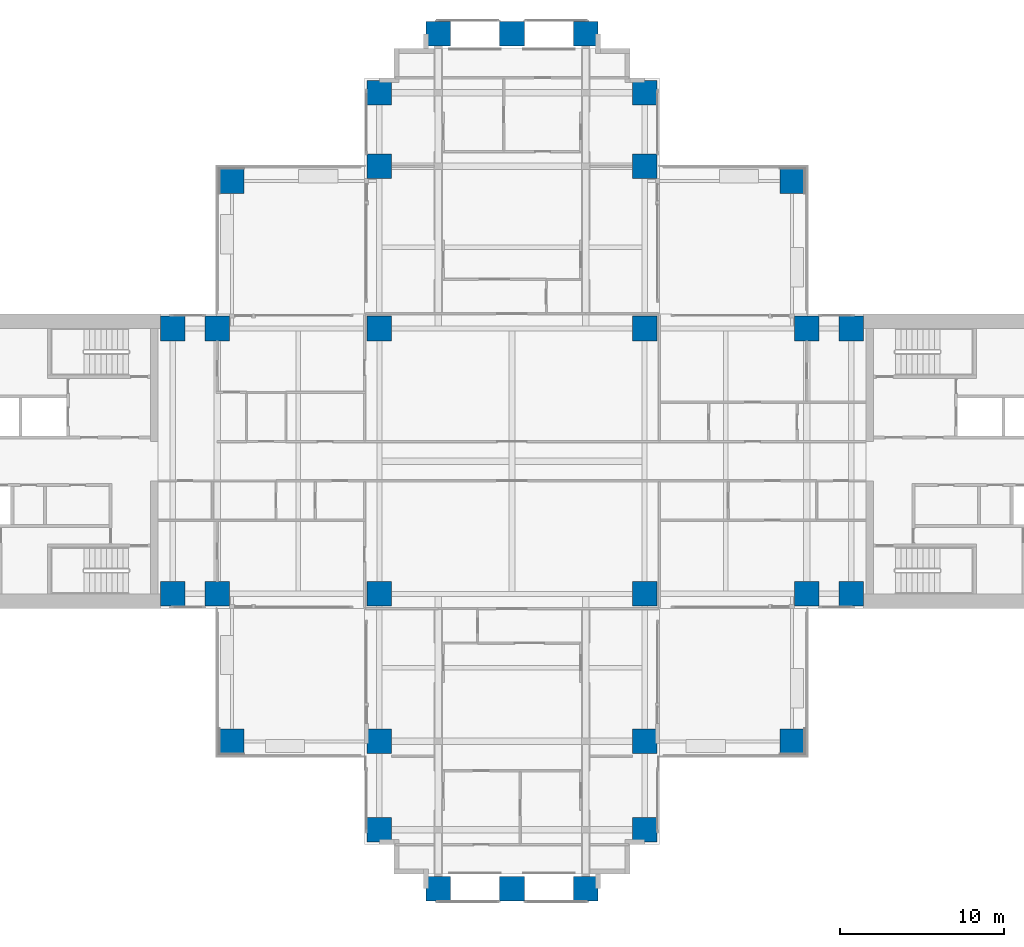
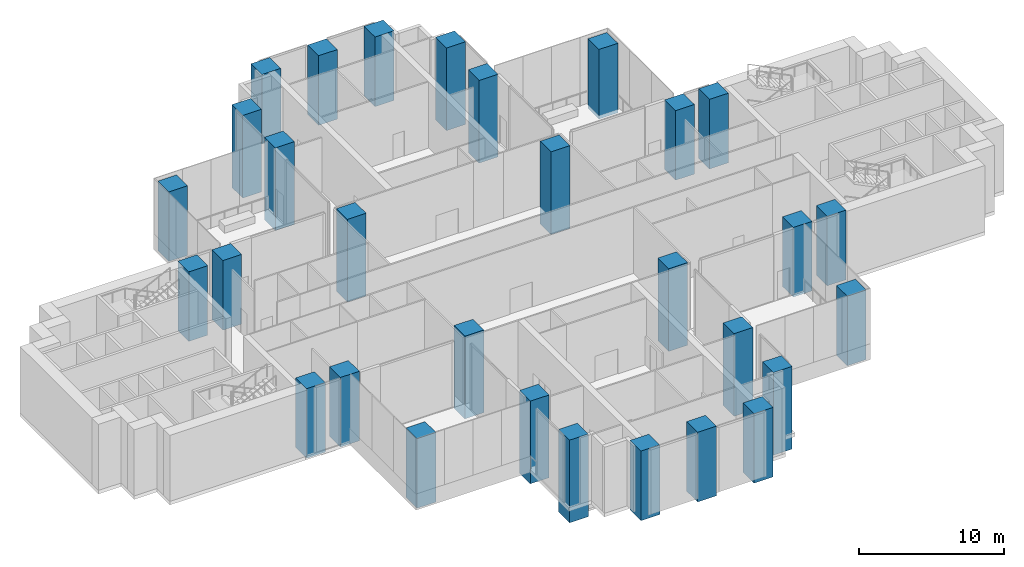
# One storey, part 1 of 17: 30 columns.
"""IFC4 building model written with IfcOpenShell, lengths in metres."""

from ifc_helpers import new_model, si_unit, direction, frame, origin, origin_2d, place, context, subcontext, project, spatial, rectangle, extrude, material, material_profile, profile_set, type_object, element, save


model = new_model("IFC4")

# Units and contexts
model_context = context("Model", 3, precision=1e-05, world=origin(), true_north=direction((0.0, 1.0)))
body_context = subcontext(model_context, "Body", "Model", "MODEL_VIEW")
ifc_project = project(units=[si_unit("LENGTHUNIT", "METRE"), si_unit("AREAUNIT", "SQUARE_METRE"), si_unit("VOLUMEUNIT", "CUBIC_METRE"), si_unit("PLANEANGLEUNIT", "RADIAN"), si_unit("MASSUNIT", "GRAM", prefix="KILO")], contexts=[model_context])

# Site, building, storey
site_placement = place(None, origin())
site = spatial("IfcSite", under=ifc_project, at=site_placement, CompositionType="ELEMENT")
building_placement = place(site_placement, origin())
building = spatial("IfcBuilding", under=site, at=building_placement, Name="Perihelion Cross Residences", CompositionType="ELEMENT")
storey_placement = place(building_placement, frame((0.0, 0.0, 21.0)))
storey = spatial("IfcBuildingStorey", under=building, at=storey_placement, Name="L02", CompositionType="ELEMENT", Elevation=21.0)

# Columns
ifc_material = material(Name="Concrete C80/95", Category="concrete")
ifc_material_profile = material_profile(ifc_material, rectangle(XDim=1.5, YDim=1.5, at=origin_2d()), Name="RC 1500x1500")
ifc_profile_set = profile_set([ifc_material_profile], Name="Concrete C80/95")
column_type = type_object("IfcColumnType", Name="Reinforced concrete column 1500x1500 C80/95", PredefinedType="COLUMN", material=ifc_profile_set)
for number, where, z_axis, x_axis, name in (
    (1, (-20.699951171875, -8.10009765625, -0.300048828125), (0.0, 0.0, 1.0), (1.0, 0.0, 0.0), "Column C017 L02 no. 1"),
    (2, (-20.699951171875, 8.10009765625, -0.300048828125), (0.0, 0.0, 1.0), (1.0, 0.0, 0.0), "Column C010 L02 no. 1"),
    (3, (-18.0, -8.10009765625, -0.300048828125), (0.0, 0.0, 1.0), (1.0, 0.0, 0.0), "Column C018 L02 no. 1"),
    (4, (-18.0, 8.10009765625, -0.300048828125), (0.0, 0.0, 1.0), (1.0, 0.0, 0.0), "Column C011 L02 no. 1"),
):
    element("IfcColumn", number, at=place(storey_placement, frame(where, z_axis=z_axis, x_axis=x_axis)), inside=storey, type_object=column_type, Name=name, PredefinedType="COLUMN", context=body_context, shape_type="SweptSolid", body=[
        extrude(rectangle(XDim=1.5, YDim=1.5, at=origin_2d()), origin(), (0.0, 0.0, 1.0), 5.85009765625),
    ])
for number, where, z_axis, x_axis, name in (
    (5, (-8.10009765625, -22.5, -1.39990234375), (0.0, 0.0, 1.0), (1.0, 0.0, 0.0), "Column C040 L02 no. 1"),
    (6, (-8.10009765625, -17.10009765625, -1.39990234375), (0.0, 0.0, 1.0), (1.0, 0.0, 0.0), "Column C031 L02 no. 1"),
    (7, (-8.10009765625, -8.10009765625, -1.39990234375), (0.0, 0.0, 1.0), (1.0, 0.0, 0.0), "Column C019 L02 no. 1"),
    (8, (-8.10009765625, 8.10009765625, -1.39990234375), (0.0, 0.0, 1.0), (1.0, 0.0, 0.0), "Column C012 L02 no. 1"),
    (9, (-8.10009765625, 18.0, -1.39990234375), (0.0, 0.0, 1.0), (1.0, 0.0, 0.0), "Column C006 L02 no. 1"),
    (10, (-8.10009765625, 22.5, -1.39990234375), (0.0, 0.0, 1.0), (1.0, 0.0, 0.0), "Column C004 L02 no. 1"),
):
    element("IfcColumn", number, at=place(storey_placement, frame(where, z_axis=z_axis, x_axis=x_axis)), inside=storey, type_object=column_type, Name=name, PredefinedType="COLUMN", context=body_context, shape_type="SweptSolid", body=[
        extrude(rectangle(XDim=1.5, YDim=1.5, at=origin_2d()), origin(), (0.0, 0.0, 1.0), 6.949951171875),
    ])
for number, where, z_axis, x_axis, name in (
    (11, (-4.5, -26.10009765625, -0.300048828125), (0.0, 0.0, 1.0), (1.0, 0.0, 0.0), "Column C042 L02 no. 1"),
    (12, (-4.5, 26.10009765625, -0.300048828125), (0.0, 0.0, 1.0), (1.0, 0.0, 0.0), "Column C001 L02 no. 1"),
    (13, (0.0, -26.10009765625, -0.300048828125), (0.0, 0.0, 1.0), (1.0, 0.0, 0.0), "Column C043 L02 no. 1"),
    (14, (0.0, 26.10009765625, -0.300048828125), (0.0, 0.0, 1.0), (1.0, 0.0, 0.0), "Column C002 L02 no. 1"),
    (15, (4.5, -26.10009765625, -0.300048828125), (0.0, 0.0, 1.0), (1.0, 0.0, 0.0), "Column C044 L02 no. 1"),
    (16, (4.5, 26.10009765625, -0.300048828125), (0.0, 0.0, 1.0), (1.0, 0.0, 0.0), "Column C003 L02 no. 1"),
):
    element("IfcColumn", number, at=place(storey_placement, frame(where, z_axis=z_axis, x_axis=x_axis)), inside=storey, type_object=column_type, Name=name, PredefinedType="COLUMN", context=body_context, shape_type="SweptSolid", body=[
        extrude(rectangle(XDim=1.5, YDim=1.5, at=origin_2d()), origin(), (0.0, 0.0, 1.0), 5.85009765625),
    ])
for number, where, z_axis, x_axis, name in (
    (17, (8.10009765625, -22.5, -1.39990234375), (0.0, 0.0, 1.0), (1.0, 0.0, 0.0), "Column C041 L02 no. 1"),
    (18, (8.10009765625, -17.10009765625, -1.39990234375), (0.0, 0.0, 1.0), (1.0, 0.0, 0.0), "Column C035 L02 no. 1"),
    (19, (8.10009765625, -8.10009765625, -1.39990234375), (0.0, 0.0, 1.0), (1.0, 0.0, 0.0), "Column C020 L02 no. 1"),
    (20, (8.10009765625, 8.10009765625, -1.39990234375), (0.0, 0.0, 1.0), (1.0, 0.0, 0.0), "Column C014 L02 no. 1"),
    (21, (8.10009765625, 18.0, -1.39990234375), (0.0, 0.0, 1.0), (1.0, 0.0, 0.0), "Column C007 L02 no. 1"),
    (22, (8.10009765625, 22.5, -1.39990234375), (0.0, 0.0, 1.0), (1.0, 0.0, 0.0), "Column C005 L02 no. 1"),
):
    element("IfcColumn", number, at=place(storey_placement, frame(where, z_axis=z_axis, x_axis=x_axis)), inside=storey, type_object=column_type, Name=name, PredefinedType="COLUMN", context=body_context, shape_type="SweptSolid", body=[
        extrude(rectangle(XDim=1.5, YDim=1.5, at=origin_2d()), origin(), (0.0, 0.0, 1.0), 6.949951171875),
    ])
for number, where, z_axis, x_axis, name in (
    (23, (18.0, -8.10009765625, -0.300048828125), (0.0, 0.0, 1.0), (1.0, 0.0, 0.0), "Column C021 L02 no. 1"),
    (24, (18.0, 8.10009765625, -0.300048828125), (0.0, 0.0, 1.0), (1.0, 0.0, 0.0), "Column C015 L02 no. 1"),
    (25, (20.699951171875, -8.10009765625, -0.300048828125), (0.0, 0.0, 1.0), (1.0, 0.0, 0.0), "Column C022 L02 no. 1"),
    (26, (20.699951171875, 8.10009765625, -0.300048828125), (0.0, 0.0, 1.0), (1.0, 0.0, 0.0), "Column C016 L02 no. 1"),
    (27, (17.10009765625, 17.10009765625, -0.300048828125), (0.0, 0.0, 1.0), (1.0, 0.0, 0.0), "Column C009 L02 no. 1"),
    (28, (-17.10009765625, 17.10009765625, -0.300048828125), (0.0, 0.0, 1.0), (1.0, 0.0, 0.0), "Column C008 L02 no. 1"),
    (29, (-17.10009765625, -17.10009765625, -0.300048828125), (0.0, 0.0, 1.0), (1.0, 0.0, 0.0), "Column C030 L02 no. 1"),
    (30, (17.10009765625, -17.10009765625, -0.300048828125), (0.0, 0.0, 1.0), (1.0, 0.0, 0.0), "Column C036 L02 no. 1"),
):
    element("IfcColumn", number, at=place(storey_placement, frame(where, z_axis=z_axis, x_axis=x_axis)), inside=storey, type_object=column_type, Name=name, PredefinedType="COLUMN", context=body_context, shape_type="SweptSolid", body=[
        extrude(rectangle(XDim=1.5, YDim=1.5, at=origin_2d()), origin(), (0.0, 0.0, 1.0), 5.85009765625),
    ])

save(model, "model.ifc")
